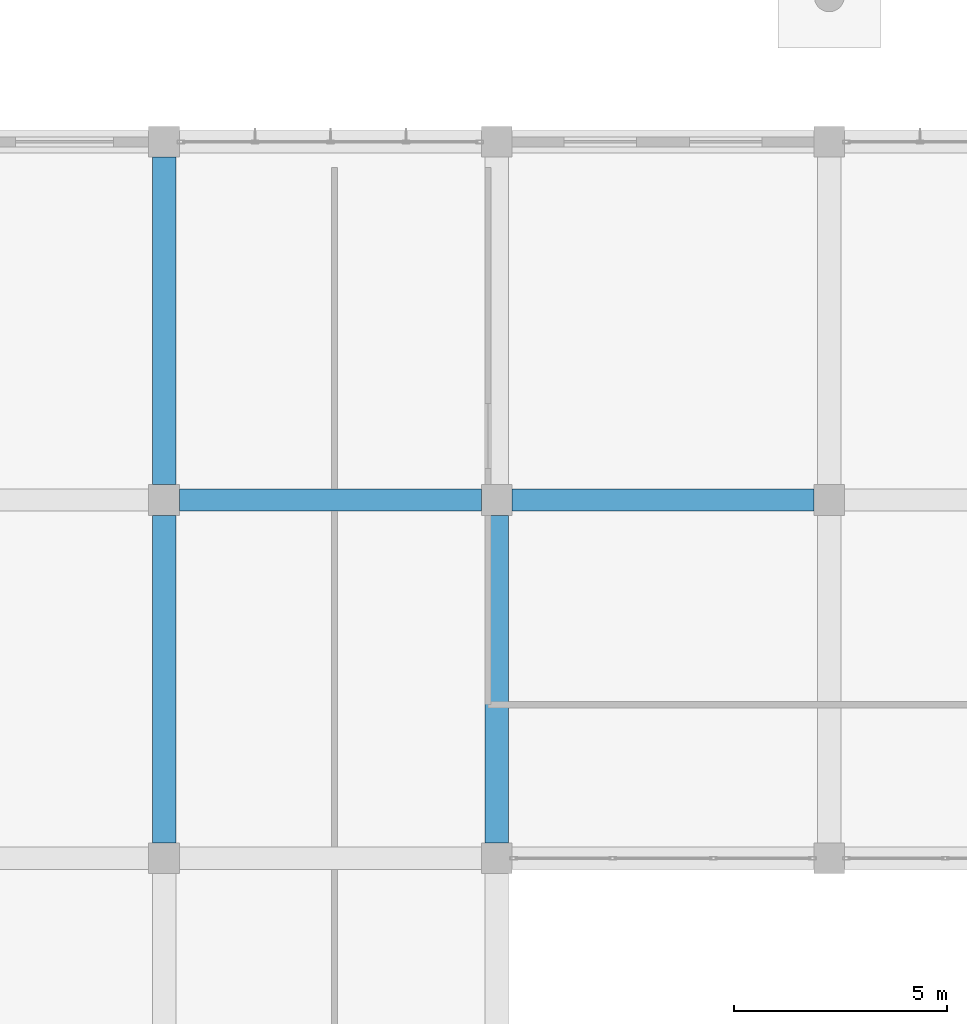
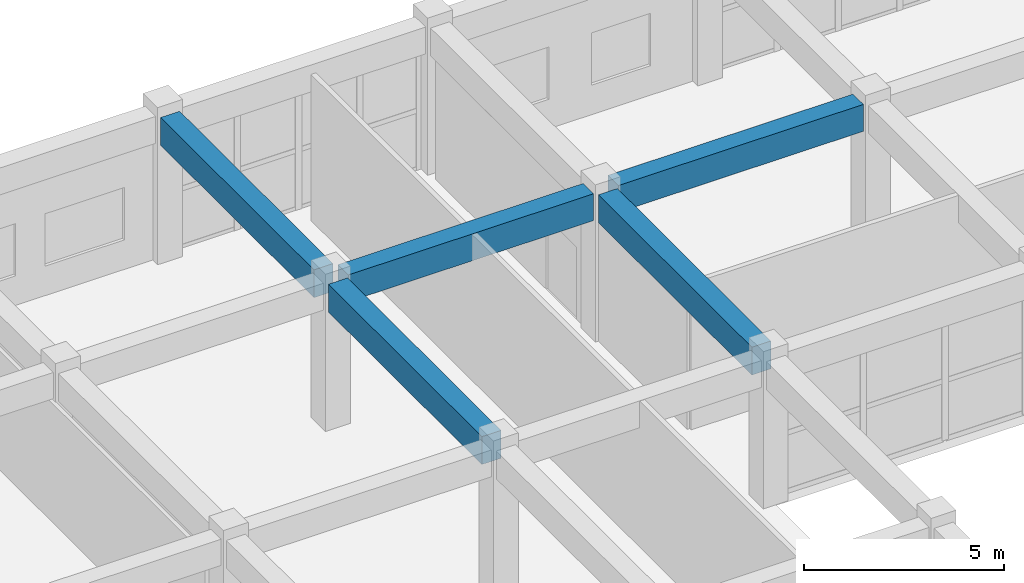
# One storey, part 83 of 139: 5 beams.
"""IFC4 building model written with IfcOpenShell, lengths in metres."""

from ifc_helpers import new_model, si_unit, direction, frame, origin, origin_2d, place, context, subcontext, project, spatial, rectangle, extrude, material, material_profile, profile_set, type_object, element, save


model = new_model("IFC4")

# Units and contexts
model_context = context("Model", 3, precision=1e-05, world=origin(), true_north=direction((0.0, 1.0)))
body_context = subcontext(model_context, "Body", "Model", "MODEL_VIEW")
ifc_project = project(units=[si_unit("LENGTHUNIT", "METRE"), si_unit("AREAUNIT", "SQUARE_METRE"), si_unit("VOLUMEUNIT", "CUBIC_METRE"), si_unit("PLANEANGLEUNIT", "RADIAN"), si_unit("MASSUNIT", "GRAM", prefix="KILO")], contexts=[model_context])

# Site, building, storey
site_placement = place(None, origin())
site = spatial("IfcSite", under=ifc_project, at=site_placement, CompositionType="ELEMENT")
building_placement = place(site_placement, origin())
building = spatial("IfcBuilding", under=site, at=building_placement, Name="Zizhar Promenade General Hospital", CompositionType="ELEMENT")
storey_placement = place(building_placement, origin())
storey = spatial("IfcBuildingStorey", under=building, at=storey_placement, Name="L00", CompositionType="ELEMENT", Elevation=0.0)

# Beams
ifc_material_1 = material(Name="Concrete C35/45", Category="concrete")
ifc_material_profile_1 = material_profile(ifc_material_1, rectangle(XDim=0.52001953125, YDim=0.820068359375, at=origin_2d()))
ifc_profile_set_1 = profile_set([ifc_material_profile_1], Name="Concrete C35/45")
beam_type_1 = type_object("IfcBeamType", Name="BM-RC-520x820", PredefinedType="BEAM", material=ifc_profile_set_1)
beam_1_placement = place(storey_placement, frame((140.760009765625, 100.800048828125, 4.06005859375), z_axis=(1.0, 0.0, 0.0), x_axis=(0.0, 1.0, 0.0)))
element("IfcBeam", 1, at=beam_1_placement, inside=storey, type_object=beam_type_1, Name="Grid Beam X L00 (18-12)", PredefinedType="BEAM", context=body_context, shape_type="SweptSolid", body=[
    extrude(rectangle(XDim=0.52001953125, YDim=0.820068359375, at=origin_2d()), origin(), (0.0, 0.0, 1.0), 7.080078125),
])
beam_2_placement = place(storey_placement, frame((148.56005859375, 100.800048828125, 4.06005859375), z_axis=(1.0, 0.0, 0.0), x_axis=(0.0, 1.0, 0.0)))
element("IfcBeam", 2, at=beam_2_placement, inside=storey, type_object=beam_type_1, Name="Grid Beam X L00 (19-12)", PredefinedType="BEAM", context=body_context, shape_type="SweptSolid", body=[
    extrude(rectangle(XDim=0.52001953125, YDim=0.820068359375, at=origin_2d()), origin(), (0.0, 0.0, 1.0), 7.079833984375),
])
ifc_material_2 = material(Name="Concrete C35/45", Category="concrete")
ifc_material_profile_2 = material_profile(ifc_material_2, rectangle(XDim=0.550048828125, YDim=0.85009765625, at=origin_2d()))
ifc_profile_set_2 = profile_set([ifc_material_profile_2], Name="Concrete C35/45")
beam_type_2 = type_object("IfcBeamType", Name="BM-RC-550x850", PredefinedType="BEAM", material=ifc_profile_set_2)
beam_3_placement = place(storey_placement, frame((140.39990234375, 92.760009765625, 4.044921875), z_axis=(0.0, 1.0, 0.0), x_axis=(-1.0, 0.0, 0.0)))
element("IfcBeam", 3, at=beam_3_placement, inside=storey, type_object=beam_type_2, Name="Grid Beam Y L00 (18-11)", PredefinedType="BEAM", context=body_context, shape_type="SweptSolid", body=[
    extrude(rectangle(XDim=0.550048828125, YDim=0.85009765625, at=origin_2d()), origin(), (0.0, 0.0, 1.0), 7.679931640625),
])
beam_4_placement = place(storey_placement, frame((140.39990234375, 101.159912109375, 4.044921875), z_axis=(0.0, 1.0, 0.0), x_axis=(-1.0, 0.0, 0.0)))
element("IfcBeam", 4, at=beam_4_placement, inside=storey, type_object=beam_type_2, Name="Grid Beam Y L00 (18-12)", PredefinedType="BEAM", context=body_context, shape_type="SweptSolid", body=[
    extrude(rectangle(XDim=0.550048828125, YDim=0.85009765625, at=origin_2d()), origin(), (0.0, 0.0, 1.0), 7.68017578125),
])
beam_5_placement = place(storey_placement, frame((148.199951171875, 92.760009765625, 4.044921875), z_axis=(0.0, 1.0, 0.0), x_axis=(-1.0, 0.0, 0.0)))
element("IfcBeam", 5, at=beam_5_placement, inside=storey, type_object=beam_type_2, Name="Grid Beam Y L00 (19-11)", PredefinedType="BEAM", context=body_context, shape_type="SweptSolid", body=[
    extrude(rectangle(XDim=0.550048828125, YDim=0.85009765625, at=origin_2d()), origin(), (0.0, 0.0, 1.0), 7.679931640625),
])

save(model, "model.ifc")
